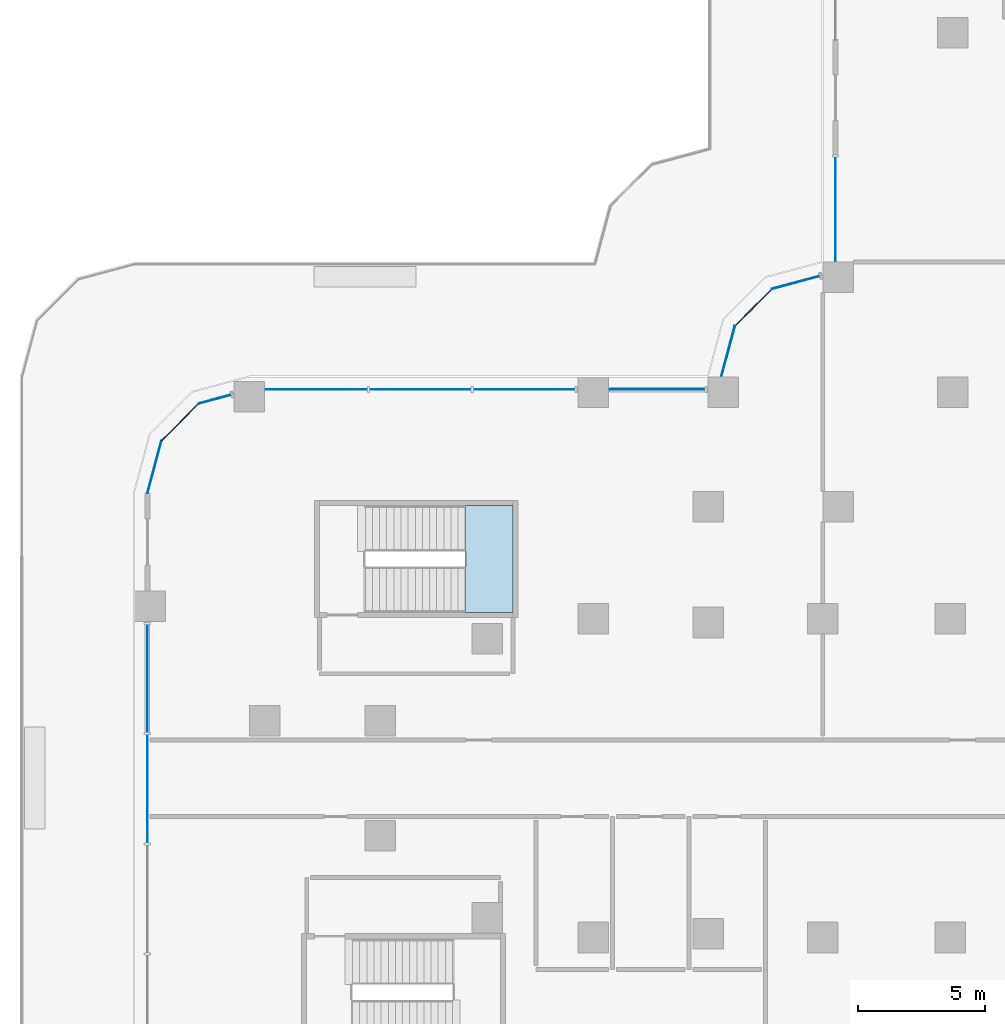
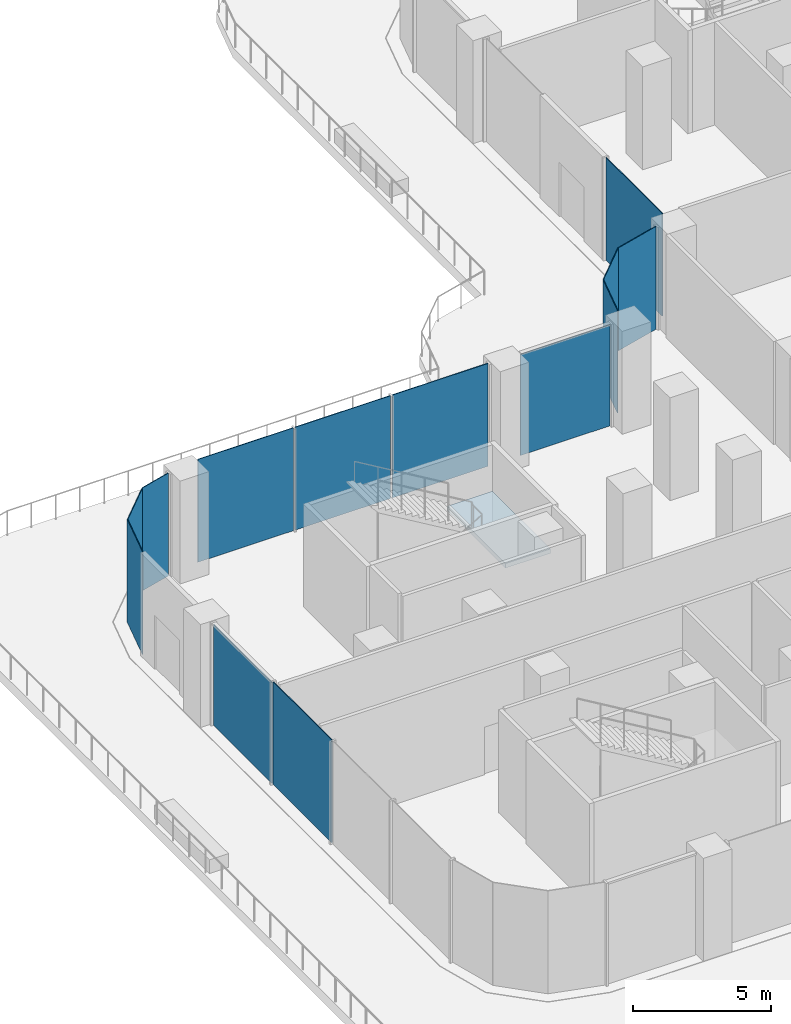
# One storey, part 13 of 27: 13 plates, 1 slab, 10 elements without a shape of their own.
"""IFC4 building model written with IfcOpenShell, lengths in metres."""

import ifcopenshell
import ifcopenshell.guid

model = None  # the IFC model being written
_history = None  # IfcOwnerHistory: only IFC2X3 demands one
_inside = {}  # id of a spatial element -> (the spatial element, [elements in it])
_under = {}  # id of a project, library or spatial element -> (it, [spatial elements below it])
_declared = {}  # id of a project -> (the project, [libraries it declares])
_typed = {}  # id of a type object -> (the type object, [elements of that type])
_made_of = {}  # id of a material, layer set ... -> (it, [elements and type objects made of it])


def new_model(schema):
    """Start an empty IFC model of exactly this schema.

    Asked for "IFC4X3", IfcOpenShell would pick the latest addendum, in which some entities
    have other attributes; the version numbers below select the first issue.
    IFC2X3 requires an IfcOwnerHistory on every rooted entity: one is made here for all.
    """
    global model, _history
    if schema == "IFC4X3":
        model = ifcopenshell.file(schema_version=(4, 3, 0, 0))
    else:
        model = ifcopenshell.file(schema=schema)
    _inside.clear()
    _under.clear()
    _declared.clear()
    _typed.clear()
    _made_of.clear()
    _history = None
    if model.schema == "IFC2X3":
        org = make("IfcOrganization", Name="unknown")
        user = make(
            "IfcPersonAndOrganization",
            ThePerson=make("IfcPerson", FamilyName="unknown"),
            TheOrganization=org,
        )
        app = make(
            "IfcApplication",
            ApplicationDeveloper=org,
            Version="unknown",
            ApplicationFullName="unknown",
            ApplicationIdentifier="unknown",
        )
        _history = make(
            "IfcOwnerHistory",
            OwningUser=user,
            OwningApplication=app,
            ChangeAction="ADDED",
            CreationDate=0,
        )
    return model


def make(cls, **values):
    """One entity of the class cls with the attributes given. An attribute that is None is left unset."""
    return model.create_entity(
        cls, **{name: value for name, value in values.items() if value is not None}
    )


def rooted(cls, **values):
    """An entity with a GlobalId (a new one), such as an element, a storey or a relation."""
    return make(cls, GlobalId=ifcopenshell.guid.new(), OwnerHistory=_history, **values)


def si_unit(unit_type, name, prefix=None):
    """IfcSIUnit, for example si_unit("LENGTHUNIT", "METRE", prefix="MILLI")."""
    return make("IfcSIUnit", UnitType=unit_type, Prefix=prefix, Name=name)


def assignment(units):
    """IfcUnitAssignment: the units of a project."""
    return None if units is None else make("IfcUnitAssignment", Units=units)


def point(xyz):
    """IfcCartesianPoint."""
    return None if xyz is None else make("IfcCartesianPoint", Coordinates=xyz)


def direction(xyz):
    """IfcDirection."""
    return None if xyz is None else make("IfcDirection", DirectionRatios=xyz)


def frame(location, z_axis=None, x_axis=None):
    """IfcAxis2Placement3D, a coordinate frame: its origin and axes. An axis left out is left unset."""
    return make(
        "IfcAxis2Placement3D",
        Location=point(location),
        Axis=direction(z_axis),
        RefDirection=direction(x_axis),
    )


def origin():
    """The frame at (0, 0, 0) with its axes left unset."""
    return frame((0.0, 0.0, 0.0))


def place(relative_to, where):
    """IfcLocalPlacement: puts the frame where relative to a parent placement (None: the world)."""
    return make(
        "IfcLocalPlacement", PlacementRelTo=relative_to, RelativePlacement=where
    )


def context(
    kind, dimensions, precision=None, world=None, true_north=None, identifier=None
):
    """IfcGeometricRepresentationContext, for example the 3D "Model" context."""
    return make(
        "IfcGeometricRepresentationContext",
        ContextIdentifier=identifier,
        ContextType=kind,
        CoordinateSpaceDimension=dimensions,
        Precision=precision,
        WorldCoordinateSystem=world,
        TrueNorth=true_north,
    )


def subcontext(parent, identifier, kind, view, scale=None):
    """IfcGeometricRepresentationSubContext, for example "Body" below "Model"."""
    return make(
        "IfcGeometricRepresentationSubContext",
        ContextIdentifier=identifier,
        ContextType=kind,
        ParentContext=parent,
        TargetScale=scale,
        TargetView=view,
    )


def project(units=None, contexts=None):
    """IfcProject with its units and contexts."""
    return rooted(
        "IfcProject",
        Name="project",
        RepresentationContexts=contexts,
        UnitsInContext=assignment(units),
    )


def spatial(cls, under=None, at=None, **own):
    """A site, building, storey or space (cls), placed at a placement, below another one or the project."""
    s = rooted(cls, ObjectPlacement=at, **own)
    if under is not None:
        _under.setdefault(under.id(), (under, []))[1].append(s)
    return s


def polyline(points):
    """IfcPolyline through the points."""
    return make("IfcPolyline", Points=[point(p) for p in points])


def outline(outer, holes=None, kind="AREA"):
    """IfcArbitraryClosedProfileDef: a profile drawn as a closed curve; with holes, ...WithVoids."""
    if holes is None:
        return make("IfcArbitraryClosedProfileDef", ProfileType=kind, OuterCurve=outer)
    return make(
        "IfcArbitraryProfileDefWithVoids",
        ProfileType=kind,
        OuterCurve=outer,
        InnerCurves=holes,
    )


def extrude(swept, where, along, depth):
    """IfcExtrudedAreaSolid: the profile swept, set in the frame where, extruded along a direction by depth."""
    return make(
        "IfcExtrudedAreaSolid",
        SweptArea=swept,
        Position=where,
        ExtrudedDirection=direction(along),
        Depth=depth,
    )


def shape(context_of_items, identifier, shape_type, items):
    """IfcShapeRepresentation: the items that make up one representation, for example the "Body"."""
    return make(
        "IfcShapeRepresentation",
        ContextOfItems=context_of_items,
        RepresentationIdentifier=identifier,
        RepresentationType=shape_type,
        Items=items,
    )


def source(mapping_origin, context_of_items, identifier, shape_type, items):
    """IfcRepresentationMap: a shape defined once, which mapped items show again and again."""
    return make(
        "IfcRepresentationMap",
        MappingOrigin=mapping_origin,
        MappedRepresentation=shape(context_of_items, identifier, shape_type, items),
    )


def transform(
    local_origin,
    x_axis=None,
    y_axis=None,
    z_axis=None,
    scale=None,
    scale2=None,
    scale3=None,
    uniform=True,
):
    """IfcCartesianTransformationOperator3D, or its non-uniform kind. x_axis, y_axis, z_axis: its Axis1, 2, 3."""
    if uniform:
        return make(
            "IfcCartesianTransformationOperator3D",
            Axis1=direction(x_axis),
            Axis2=direction(y_axis),
            LocalOrigin=point(local_origin),
            Scale=scale,
            Axis3=direction(z_axis),
        )
    return make(
        "IfcCartesianTransformationOperator3DnonUniform",
        Axis1=direction(x_axis),
        Axis2=direction(y_axis),
        LocalOrigin=point(local_origin),
        Scale=scale,
        Axis3=direction(z_axis),
        Scale2=scale2,
        Scale3=scale3,
    )


def mapped(mapping_source, mapping_target):
    """IfcMappedItem: shows the shape of a source again, moved by a transform."""
    return make(
        "IfcMappedItem", MappingSource=mapping_source, MappingTarget=mapping_target
    )


def material(Name=None, Category=None):
    """IfcMaterial."""
    return make("IfcMaterial", Name=Name, Category=Category)


def layer(
    of_material, thickness, ventilated=None, Name=None, Category=None, Priority=None
):
    """IfcMaterialLayer: one layer of a wall or slab, of a material (None: an air gap)."""
    return make(
        "IfcMaterialLayer",
        Material=of_material,
        LayerThickness=thickness,
        IsVentilated=ventilated,
        Name=Name,
        Category=Category,
        Priority=Priority,
    )


def layer_set(layers, Name=None):
    """IfcMaterialLayerSet."""
    return make("IfcMaterialLayerSet", MaterialLayers=layers, LayerSetName=Name)


def made_of(thing, what):
    """Note that an element or type object is made of a material, layer set ...; save() writes the relation."""
    if what is not None:
        _made_of.setdefault(what.id(), (what, []))[1].append(thing)
    return thing


def type_object(cls, material=None, **own):
    """A type object (cls), such as IfcWallType, which elements share."""
    return made_of(rooted(cls, **own), material)


def element(
    cls,
    number,
    at=None,
    inside=None,
    cuts=None,
    type_object=None,
    material=None,
    context=None,
    identifier="Body",
    shape_type=None,
    held_by="IfcProductDefinitionShape",
    body=None,
    shapes=None,
    **own,
):
    """One element of the class cls, such as IfcWall. Its Tag is "e" and its number.

    at: its placement. inside: the storey or other place that contains it. cuts: it is an
    opening in that element (IfcRelVoidsElement). A single representation is given by context,
    identifier, shape_type and body (its items); several are given by shapes. held_by: the class
    of the entity that holds the representations. save() writes the other relations.
    """
    e = rooted(cls, Tag="e%d" % number, ObjectPlacement=at, **own)
    if body is not None:
        shapes = [shape(context, identifier, shape_type, body)]
    if shapes is not None:
        e.Representation = make(held_by, Representations=shapes)
    if inside is not None:
        _inside.setdefault(inside.id(), (inside, []))[1].append(e)
    if cuts is not None:
        rooted(
            "IfcRelVoidsElement", RelatingBuildingElement=cuts, RelatedOpeningElement=e
        )
    if type_object is not None:
        _typed.setdefault(type_object.id(), (type_object, []))[1].append(e)
    return made_of(e, material)


def aggregate(whole, parts):
    """IfcRelAggregates: a whole, such as a stair, and the parts it consists of."""
    return rooted("IfcRelAggregates", RelatingObject=whole, RelatedObjects=parts)


def save(model, path):
    """Write the relations noted so far, then the file.

    IfcRelAggregates (storeys below a building ...), IfcRelContainedInSpatialStructure (elements
    in a storey), IfcRelDefinesByType, IfcRelAssociatesMaterial and IfcRelDeclares: one each for
    every whole, place, type object, material and project.
    """
    for whole, parts in _under.values():
        aggregate(whole, parts)
    for where, things in _inside.values():
        rooted(
            "IfcRelContainedInSpatialStructure",
            RelatedElements=things,
            RelatingStructure=where,
        )
    for kind, things in _typed.values():
        rooted("IfcRelDefinesByType", RelatedObjects=things, RelatingType=kind)
    for what, things in _made_of.values():
        rooted("IfcRelAssociatesMaterial", RelatedObjects=things, RelatingMaterial=what)
    for by, libraries in _declared.values():
        rooted("IfcRelDeclares", RelatingContext=by, RelatedDefinitions=libraries)
    model.write(path)


model = new_model("IFC4")

# Units and contexts
model_context = context("Model", 3, precision=1e-05, world=origin(), true_north=direction((0.0, 1.0)))
body_context = subcontext(model_context, "Body", "Model", "MODEL_VIEW")
ifc_project = project(units=[si_unit("LENGTHUNIT", "METRE"), si_unit("AREAUNIT", "SQUARE_METRE"), si_unit("VOLUMEUNIT", "CUBIC_METRE"), si_unit("PLANEANGLEUNIT", "RADIAN"), si_unit("MASSUNIT", "GRAM", prefix="KILO")], contexts=[model_context])

# Site, building, storey
site_placement = place(None, origin())
site = spatial("IfcSite", under=ifc_project, at=site_placement, CompositionType="ELEMENT")
building_placement = place(site_placement, origin())
building = spatial("IfcBuilding", under=site, at=building_placement, Name="Zarbagh Exchange Tower", CompositionType="ELEMENT")
storey_placement = place(building_placement, frame((0.0, 0.0, 17.0)))
storey = spatial("IfcBuildingStorey", under=building, at=storey_placement, Name="L03", CompositionType="ELEMENT", Elevation=17.0)

# Stair, slab
ifc_material_1 = material(Name="Concrete C40/50", Category="concrete")
stair_type = type_object("IfcStairType", Name="Exit stair two-flight half-turn", PredefinedType="HALF_TURN_STAIR", material=ifc_material_1)
stair_placement = place(storey_placement, origin())
stair = element("IfcStair", 1, at=stair_placement, inside=storey, type_object=stair_type, Name="exit stair PS5", PredefinedType="HALF_TURN_STAIR")
ifc_layer_1 = layer(ifc_material_1, 0.199951171875)
ifc_layer_set_1 = layer_set([ifc_layer_1], Name="Stair landing 200 mm")
slab_type = type_object("IfcSlabType", Name="Stair landing 200 mm", PredefinedType="LANDING", material=ifc_layer_set_1)
slab_placement = place(storey_placement, frame((0.0, 0.0, 2.300048828125)))
slab = element("IfcSlab", 2, at=slab_placement, type_object=slab_type, Name="PS5 landing 1", PredefinedType="LANDING", context=body_context, shape_type="SweptSolid", body=[
    extrude(outline(polyline([(-29.780029296875, 6.5), (-27.89990234375, 6.5), (-27.89990234375, 10.699951171875), (-29.780029296875, 10.699951171875), (-29.780029296875, 6.5)])), origin(), (0.0, 0.0, 1.0), 0.199951171875),
])
aggregate(stair, [slab])

# Curtain wall, plate
ifc_material_2 = material(Name="Anodised aluminium frame and glazing", Category="aluminium")
curtain_wall_type = type_object("IfcCurtainWallType", Name="CWC Podium garden-wall glazing", PredefinedType="NOTDEFINED", material=ifc_material_2)
curtain_wall_1_placement = place(storey_placement, origin())
curtain_wall_1 = element("IfcCurtainWall", 3, at=curtain_wall_1_placement, inside=storey, type_object=curtain_wall_type, Name="CWC172 curtain wall", PredefinedType="NOTDEFINED")
ifc_material_3 = material(Name="Low-e double glazed unit, 6+12+6 mm")
ifc_layer_2 = layer(ifc_material_3, 0.031982421875)
ifc_layer_set_2 = layer_set([ifc_layer_2], Name="PAC Glazing panel, Low-e double glazed unit, 6+12+6 mm")
plate_type = type_object("IfcPlateType", Name="PAC Glazing panel, Low-e double glazed unit, 6+12+6 mm", PredefinedType="CURTAIN_PANEL", material=ifc_layer_set_2)
shared_shape_1 = source(origin(), body_context, "Body", "SweptSolid", [
    extrude(outline(polyline([(0.0, -0.01611328125), (2.061279296875, -0.01611328125), (2.061279296875, 0.01611328125), (0.0, 0.01611328125), (0.0, -0.01611328125)])), origin(), (0.0, 0.0, 1.0), 4.550048828125),
])
placement = place(storey_placement, origin())
plate_1 = element("IfcPlate", 4, at=placement, type_object=plate_type, Name="CWC172 glazing panel 1.1", PredefinedType="CURTAIN_PANEL", context=body_context, shape_type="MappedRepresentation", body=[
    mapped(shared_shape_1, transform((-17.7412109375, 19.19873046875, 0.0), x_axis=(-0.707106781187, -0.707106781187, 0.0), y_axis=(0.707106781187, -0.707106781187, 0.0), z_axis=(0.0, 0.0, 1.0))),
])
aggregate(curtain_wall_1, [plate_1])

curtain_wall_2_placement = place(storey_placement, origin())
curtain_wall_2 = element("IfcCurtainWall", 5, at=curtain_wall_2_placement, inside=storey, type_object=curtain_wall_type, Name="CWC176 curtain wall", PredefinedType="NOTDEFINED")
plate_2 = element("IfcPlate", 6, at=placement, type_object=plate_type, Name="CWC176 glazing panel 1.1", PredefinedType="CURTAIN_PANEL", context=body_context, shape_type="MappedRepresentation", body=[
    mapped(shared_shape_1, transform((-40.2412109375, 14.69873046875, 0.0), x_axis=(-0.707106781187, -0.707106781187, 0.0), y_axis=(0.707106781187, -0.707106781187, 0.0), z_axis=(0.0, 0.0, 1.0))),
])
aggregate(curtain_wall_2, [plate_2])

# Curtain wall, plates
curtain_wall_3_placement = place(storey_placement, origin())
curtain_wall_3 = element("IfcCurtainWall", 7, at=curtain_wall_3_placement, inside=storey, type_object=curtain_wall_type, Name="CWC174 curtain wall", PredefinedType="NOTDEFINED")
shared_shape_2 = source(origin(), body_context, "Body", "SweptSolid", [
    extrude(outline(polyline([(0.0, -0.01611328125), (3.993408203125, -0.01611328125), (3.993408203125, 0.01611328125), (0.0, 0.01611328125), (0.0, -0.01611328125)])), origin(), (0.0, 0.0, 1.0), 4.550048828125),
])
plate_3 = element("IfcPlate", 8, at=placement, type_object=plate_type, Name="CWC174 glazing panel 2.1", PredefinedType="CURTAIN_PANEL", context=body_context, shape_type="MappedRepresentation", body=[
    mapped(shared_shape_2, transform((-25.469970703125, 15.25, 0.0), x_axis=(-1.0, 0.0, 0.0), y_axis=(0.0, -1.0, 0.0), z_axis=(0.0, 0.0, 1.0))),
])
plate_4 = element("IfcPlate", 9, at=placement, type_object=plate_type, Name="CWC174 glazing panel 2.2", PredefinedType="CURTAIN_PANEL", context=body_context, shape_type="MappedRepresentation", body=[
    mapped(shared_shape_2, transform((-29.54345703125, 15.25, 0.0), x_axis=(-1.0, 0.0, 0.0), y_axis=(0.0, -1.0, 0.0), z_axis=(0.0, 0.0, 1.0))),
])
plate_5 = element("IfcPlate", 10, at=placement, type_object=plate_type, Name="CWC174 glazing panel 2.3", PredefinedType="CURTAIN_PANEL", context=body_context, shape_type="MappedRepresentation", body=[
    mapped(shared_shape_2, transform((-33.61669921875, 15.25, 0.0), x_axis=(-1.0, 0.0, 0.0), y_axis=(0.0, -1.0, 0.0), z_axis=(0.0, 0.0, 1.0))),
])

# Curtain wall, plate
curtain_wall_4_placement = place(storey_placement, origin())
curtain_wall_4 = element("IfcCurtainWall", 11, at=curtain_wall_4_placement, inside=storey, type_object=curtain_wall_type, Name="CWC171 curtain wall", PredefinedType="NOTDEFINED")
shared_shape_3 = source(origin(), body_context, "Body", "SweptSolid", [
    extrude(outline(polyline([(0.0, -0.01611328125), (1.93994140625, -0.01611328125), (1.93994140625, 0.01611328125), (0.0, 0.01611328125), (0.0, -0.01611328125)])), origin(), (0.0, 0.0, 1.0), 4.550048828125),
])
plate_6 = element("IfcPlate", 12, at=placement, type_object=plate_type, Name="CWC171 glazing panel 1.1", PredefinedType="CURTAIN_PANEL", context=body_context, shape_type="MappedRepresentation", body=[
    mapped(shared_shape_3, transform((-15.867431640625, 19.700927734375, 0.0), x_axis=(-0.965924289636, -0.258824779902, 0.0), y_axis=(0.258824779902, -0.965924289636, 0.0), z_axis=(0.0, 0.0, 1.0))),
])
aggregate(curtain_wall_4, [plate_6])

curtain_wall_5_placement = place(storey_placement, origin())
curtain_wall_5 = element("IfcCurtainWall", 13, at=curtain_wall_5_placement, inside=storey, type_object=curtain_wall_type, Name="CWC173 curtain wall", PredefinedType="NOTDEFINED")
shared_shape_4 = source(origin(), body_context, "Body", "SweptSolid", [
    extrude(outline(polyline([(0.0, -0.01611328125), (2.02001953125, -0.01611328125), (2.02001953125, 0.01611328125), (0.0, 0.01611328125), (0.0, -0.01611328125)])), origin(), (0.0, 0.0, 1.0), 4.550048828125),
])
plate_7 = element("IfcPlate", 14, at=placement, type_object=plate_type, Name="CWC173 glazing panel 1.1", PredefinedType="CURTAIN_PANEL", context=body_context, shape_type="MappedRepresentation", body=[
    mapped(shared_shape_4, transform((-19.19873046875, 17.7412109375, 0.0), x_axis=(-0.258824779902, -0.965924289636, 0.0), y_axis=(0.965924289636, -0.258824779902, 0.0), z_axis=(0.0, 0.0, 1.0))),
])
aggregate(curtain_wall_5, [plate_7])

curtain_wall_6_placement = place(storey_placement, origin())
curtain_wall_6 = element("IfcCurtainWall", 15, at=curtain_wall_6_placement, inside=storey, type_object=curtain_wall_type, Name="CWC175 curtain wall", PredefinedType="NOTDEFINED")
shared_shape_5 = source(origin(), body_context, "Body", "SweptSolid", [
    extrude(outline(polyline([(0.0, -0.01611328125), (1.31884765625, -0.01611328125), (1.31884765625, 0.01611328125), (0.0, 0.01611328125), (0.0, -0.01611328125)])), origin(), (0.0, 0.0, 1.0), 4.550048828125),
])
plate_8 = element("IfcPlate", 16, at=placement, type_object=plate_type, Name="CWC175 glazing panel 1.1", PredefinedType="CURTAIN_PANEL", context=body_context, shape_type="MappedRepresentation", body=[
    mapped(shared_shape_5, transform((-38.96728515625, 15.040283203125, 0.0), x_axis=(-0.965924289636, -0.258824779902, 0.0), y_axis=(0.258824779902, -0.965924289636, 0.0), z_axis=(0.0, 0.0, 1.0))),
])
aggregate(curtain_wall_6, [plate_8])

# Plate
shared_shape_6 = source(origin(), body_context, "Body", "SweptSolid", [
    extrude(outline(polyline([(0.0, -0.01611328125), (3.739990234375, -0.01611328125), (3.739990234375, 0.01611328125), (0.0, 0.01611328125), (0.0, -0.01611328125)])), origin(), (0.0, 0.0, 1.0), 4.469970703125),
])
plate_9 = element("IfcPlate", 17, at=placement, type_object=plate_type, Name="CWC174 glazing panel 1.1", PredefinedType="CURTAIN_PANEL", context=body_context, shape_type="MappedRepresentation", body=[
    mapped(shared_shape_6, transform((-20.3701171875, 15.25, 0.0), x_axis=(-1.0, 0.0, 0.0), y_axis=(0.0, -1.0, 0.0), z_axis=(0.0, 0.0, 1.0))),
])

aggregate(curtain_wall_3, [plate_9, plate_3, plate_4, plate_5])

# Curtain wall, plate
curtain_wall_7_placement = place(storey_placement, origin())
curtain_wall_7 = element("IfcCurtainWall", 18, at=curtain_wall_7_placement, inside=storey, type_object=curtain_wall_type, Name="CWC177 curtain wall", PredefinedType="NOTDEFINED")
shared_shape_7 = source(origin(), body_context, "Body", "SweptSolid", [
    extrude(outline(polyline([(0.0, -0.01611328125), (2.129638671875, -0.01611328125), (2.129638671875, 0.01611328125), (0.0, 0.01611328125), (0.0, -0.01611328125)])), origin(), (0.0, 0.0, 1.0), 4.550048828125),
])
plate_10 = element("IfcPlate", 19, at=placement, type_object=plate_type, Name="CWC177 glazing panel 1.1", PredefinedType="CURTAIN_PANEL", context=body_context, shape_type="MappedRepresentation", body=[
    mapped(shared_shape_7, transform((-41.69873046875, 13.2412109375, 0.0), x_axis=(-0.258824779902, -0.965924289636, 0.0), y_axis=(0.965924289636, -0.258824779902, 0.0), z_axis=(0.0, 0.0, 1.0))),
])
aggregate(curtain_wall_7, [plate_10])

curtain_wall_8_placement = place(storey_placement, origin())
curtain_wall_8 = element("IfcCurtainWall", 20, at=curtain_wall_8_placement, inside=storey, type_object=curtain_wall_type, Name="CWC170 curtain wall", PredefinedType="NOTDEFINED")
shared_shape_8 = source(origin(), body_context, "Body", "SweptSolid", [
    extrude(outline(polyline([(0.0, -0.01611328125), (4.080078125, -0.01611328125), (4.080078125, 0.01611328125), (0.0, 0.01611328125), (0.0, -0.01611328125)])), origin(), (0.0, 0.0, 1.0), 4.550048828125),
])
plate_11 = element("IfcPlate", 21, at=placement, type_object=plate_type, Name="CWC170 glazing panel 3.1", PredefinedType="CURTAIN_PANEL", context=body_context, shape_type="MappedRepresentation", body=[
    mapped(shared_shape_8, transform((-15.25, 24.369873046875, 0.0), x_axis=(0.0, -1.0, 0.0), y_axis=(1.0, 0.0, 0.0), z_axis=(0.0, 0.0, 1.0))),
])
aggregate(curtain_wall_8, [plate_11])

# Curtain wall, plates
curtain_wall_9_placement = place(storey_placement, origin())
curtain_wall_9 = element("IfcCurtainWall", 22, at=curtain_wall_9_placement, inside=storey, type_object=curtain_wall_type, Name="CWC178 curtain wall", PredefinedType="NOTDEFINED")
shared_shape_9 = source(origin(), body_context, "Body", "SweptSolid", [
    extrude(outline(polyline([(0.0, -0.01611328125), (4.243408203125, -0.01611328125), (4.243408203125, 0.01611328125), (0.0, 0.01611328125), (0.0, -0.01611328125)])), origin(), (0.0, 0.0, 1.0), 4.469970703125),
])
plate_12 = element("IfcPlate", 23, at=placement, type_object=plate_type, Name="CWC178 glazing panel 1.1", PredefinedType="CURTAIN_PANEL", context=body_context, shape_type="MappedRepresentation", body=[
    mapped(shared_shape_9, transform((-42.25, 6.030029296875, 0.0), x_axis=(0.0, -1.0, 0.0), y_axis=(1.0, 0.0, 0.0), z_axis=(0.0, 0.0, 1.0))),
])
shared_shape_10 = source(origin(), body_context, "Body", "SweptSolid", [
    extrude(outline(polyline([(0.0, -0.01611328125), (4.243408203125, -0.01611328125), (4.243408203125, 0.01611328125), (0.0, 0.01611328125), (0.0, -0.01611328125)])), origin(), (0.0, 0.0, 1.0), 4.550048828125),
])
plate_13 = element("IfcPlate", 24, at=placement, type_object=plate_type, Name="CWC178 glazing panel 1.2", PredefinedType="CURTAIN_PANEL", context=body_context, shape_type="MappedRepresentation", body=[
    mapped(shared_shape_10, transform((-42.25, 1.70654296875, 0.0), x_axis=(0.0, -1.0, 0.0), y_axis=(1.0, 0.0, 0.0), z_axis=(0.0, 0.0, 1.0))),
])
aggregate(curtain_wall_9, [plate_12, plate_13])

save(model, "model.ifc")
